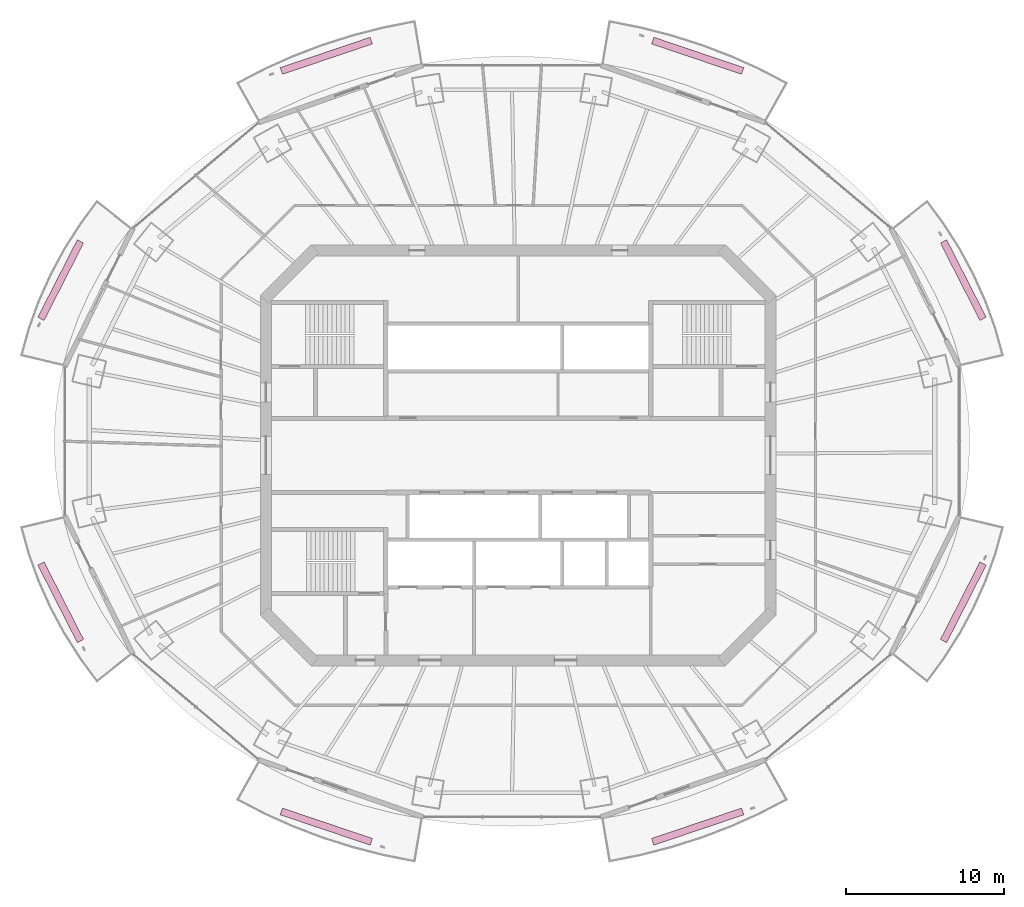
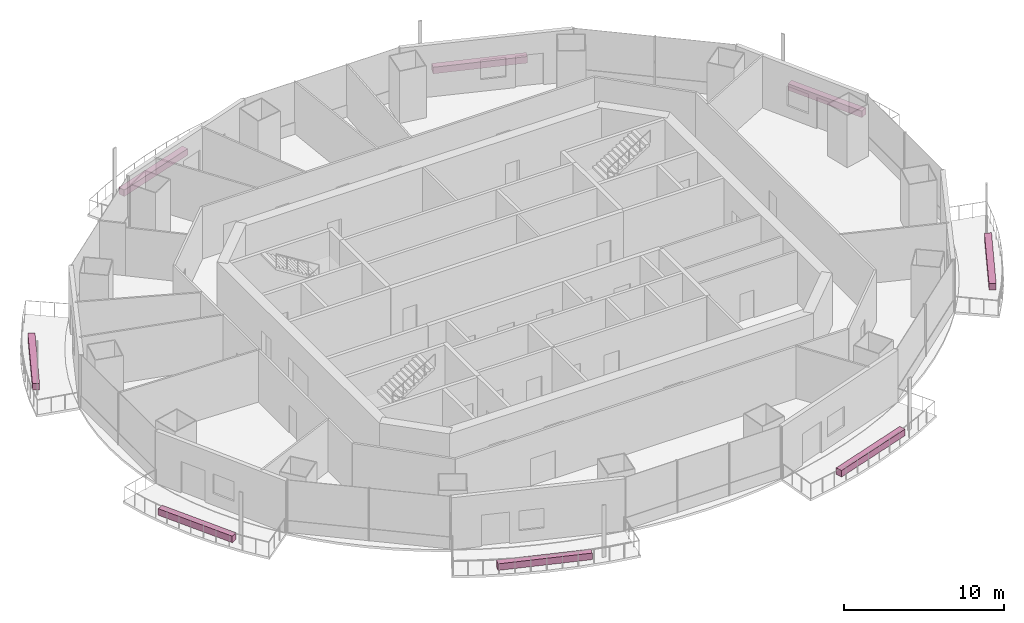
# One storey, part 16 of 16: 8 furnishings.
"""IFC4 building model written with IfcOpenShell, lengths in metres."""

import ifcopenshell
import ifcopenshell.guid

model = None  # the IFC model being written
_history = None  # IfcOwnerHistory: only IFC2X3 demands one
_inside = {}  # id of a spatial element -> (the spatial element, [elements in it])
_under = {}  # id of a project, library or spatial element -> (it, [spatial elements below it])
_declared = {}  # id of a project -> (the project, [libraries it declares])
_typed = {}  # id of a type object -> (the type object, [elements of that type])
_made_of = {}  # id of a material, layer set ... -> (it, [elements and type objects made of it])


def new_model(schema):
    """Start an empty IFC model of exactly this schema.

    Asked for "IFC4X3", IfcOpenShell would pick the latest addendum, in which some entities
    have other attributes; the version numbers below select the first issue.
    IFC2X3 requires an IfcOwnerHistory on every rooted entity: one is made here for all.
    """
    global model, _history
    if schema == "IFC4X3":
        model = ifcopenshell.file(schema_version=(4, 3, 0, 0))
    else:
        model = ifcopenshell.file(schema=schema)
    _inside.clear()
    _under.clear()
    _declared.clear()
    _typed.clear()
    _made_of.clear()
    _history = None
    if model.schema == "IFC2X3":
        org = make("IfcOrganization", Name="unknown")
        user = make(
            "IfcPersonAndOrganization",
            ThePerson=make("IfcPerson", FamilyName="unknown"),
            TheOrganization=org,
        )
        app = make(
            "IfcApplication",
            ApplicationDeveloper=org,
            Version="unknown",
            ApplicationFullName="unknown",
            ApplicationIdentifier="unknown",
        )
        _history = make(
            "IfcOwnerHistory",
            OwningUser=user,
            OwningApplication=app,
            ChangeAction="ADDED",
            CreationDate=0,
        )
    return model


def make(cls, **values):
    """One entity of the class cls with the attributes given. An attribute that is None is left unset."""
    return model.create_entity(
        cls, **{name: value for name, value in values.items() if value is not None}
    )


def rooted(cls, **values):
    """An entity with a GlobalId (a new one), such as an element, a storey or a relation."""
    return make(cls, GlobalId=ifcopenshell.guid.new(), OwnerHistory=_history, **values)


def si_unit(unit_type, name, prefix=None):
    """IfcSIUnit, for example si_unit("LENGTHUNIT", "METRE", prefix="MILLI")."""
    return make("IfcSIUnit", UnitType=unit_type, Prefix=prefix, Name=name)


def assignment(units):
    """IfcUnitAssignment: the units of a project."""
    return None if units is None else make("IfcUnitAssignment", Units=units)


def point(xyz):
    """IfcCartesianPoint."""
    return None if xyz is None else make("IfcCartesianPoint", Coordinates=xyz)


def direction(xyz):
    """IfcDirection."""
    return None if xyz is None else make("IfcDirection", DirectionRatios=xyz)


def frame(location, z_axis=None, x_axis=None):
    """IfcAxis2Placement3D, a coordinate frame: its origin and axes. An axis left out is left unset."""
    return make(
        "IfcAxis2Placement3D",
        Location=point(location),
        Axis=direction(z_axis),
        RefDirection=direction(x_axis),
    )


def frame_2d(location, x_axis=None):
    """IfcAxis2Placement2D, a coordinate frame in the plane: its origin and x axis."""
    return make(
        "IfcAxis2Placement2D", Location=point(location), RefDirection=direction(x_axis)
    )


def origin():
    """The frame at (0, 0, 0) with its axes left unset."""
    return frame((0.0, 0.0, 0.0))


def origin_2d():
    """The frame at (0, 0) in the plane with its x axis left unset."""
    return frame_2d((0.0, 0.0))


def place(relative_to, where):
    """IfcLocalPlacement: puts the frame where relative to a parent placement (None: the world)."""
    return make(
        "IfcLocalPlacement", PlacementRelTo=relative_to, RelativePlacement=where
    )


def context(
    kind, dimensions, precision=None, world=None, true_north=None, identifier=None
):
    """IfcGeometricRepresentationContext, for example the 3D "Model" context."""
    return make(
        "IfcGeometricRepresentationContext",
        ContextIdentifier=identifier,
        ContextType=kind,
        CoordinateSpaceDimension=dimensions,
        Precision=precision,
        WorldCoordinateSystem=world,
        TrueNorth=true_north,
    )


def subcontext(parent, identifier, kind, view, scale=None):
    """IfcGeometricRepresentationSubContext, for example "Body" below "Model"."""
    return make(
        "IfcGeometricRepresentationSubContext",
        ContextIdentifier=identifier,
        ContextType=kind,
        ParentContext=parent,
        TargetScale=scale,
        TargetView=view,
    )


def project(units=None, contexts=None):
    """IfcProject with its units and contexts."""
    return rooted(
        "IfcProject",
        Name="project",
        RepresentationContexts=contexts,
        UnitsInContext=assignment(units),
    )


def spatial(cls, under=None, at=None, **own):
    """A site, building, storey or space (cls), placed at a placement, below another one or the project."""
    s = rooted(cls, ObjectPlacement=at, **own)
    if under is not None:
        _under.setdefault(under.id(), (under, []))[1].append(s)
    return s


def profile(cls, at=None, kind="AREA", **sizes):
    """A parametric profile (cls). Its sizes go by their IFC names, for example OverallWidth=200.0."""
    return make(cls, ProfileType=kind, Position=at, **sizes)


def rectangle(**sizes):
    """IfcRectangleProfileDef."""
    return profile("IfcRectangleProfileDef", **sizes)


def extrude(swept, where, along, depth):
    """IfcExtrudedAreaSolid: the profile swept, set in the frame where, extruded along a direction by depth."""
    return make(
        "IfcExtrudedAreaSolid",
        SweptArea=swept,
        Position=where,
        ExtrudedDirection=direction(along),
        Depth=depth,
    )


def shape(context_of_items, identifier, shape_type, items):
    """IfcShapeRepresentation: the items that make up one representation, for example the "Body"."""
    return make(
        "IfcShapeRepresentation",
        ContextOfItems=context_of_items,
        RepresentationIdentifier=identifier,
        RepresentationType=shape_type,
        Items=items,
    )


def material(Name=None, Category=None):
    """IfcMaterial."""
    return make("IfcMaterial", Name=Name, Category=Category)


def made_of(thing, what):
    """Note that an element or type object is made of a material, layer set ...; save() writes the relation."""
    if what is not None:
        _made_of.setdefault(what.id(), (what, []))[1].append(thing)
    return thing


def type_object(cls, material=None, **own):
    """A type object (cls), such as IfcWallType, which elements share."""
    return made_of(rooted(cls, **own), material)


def element(
    cls,
    number,
    at=None,
    inside=None,
    cuts=None,
    type_object=None,
    material=None,
    context=None,
    identifier="Body",
    shape_type=None,
    held_by="IfcProductDefinitionShape",
    body=None,
    shapes=None,
    **own,
):
    """One element of the class cls, such as IfcWall. Its Tag is "e" and its number.

    at: its placement. inside: the storey or other place that contains it. cuts: it is an
    opening in that element (IfcRelVoidsElement). A single representation is given by context,
    identifier, shape_type and body (its items); several are given by shapes. held_by: the class
    of the entity that holds the representations. save() writes the other relations.
    """
    e = rooted(cls, Tag="e%d" % number, ObjectPlacement=at, **own)
    if body is not None:
        shapes = [shape(context, identifier, shape_type, body)]
    if shapes is not None:
        e.Representation = make(held_by, Representations=shapes)
    if inside is not None:
        _inside.setdefault(inside.id(), (inside, []))[1].append(e)
    if cuts is not None:
        rooted(
            "IfcRelVoidsElement", RelatingBuildingElement=cuts, RelatedOpeningElement=e
        )
    if type_object is not None:
        _typed.setdefault(type_object.id(), (type_object, []))[1].append(e)
    return made_of(e, material)


def aggregate(whole, parts):
    """IfcRelAggregates: a whole, such as a stair, and the parts it consists of."""
    return rooted("IfcRelAggregates", RelatingObject=whole, RelatedObjects=parts)


def save(model, path):
    """Write the relations noted so far, then the file.

    IfcRelAggregates (storeys below a building ...), IfcRelContainedInSpatialStructure (elements
    in a storey), IfcRelDefinesByType, IfcRelAssociatesMaterial and IfcRelDeclares: one each for
    every whole, place, type object, material and project.
    """
    for whole, parts in _under.values():
        aggregate(whole, parts)
    for where, things in _inside.values():
        rooted(
            "IfcRelContainedInSpatialStructure",
            RelatedElements=things,
            RelatingStructure=where,
        )
    for kind, things in _typed.values():
        rooted("IfcRelDefinesByType", RelatedObjects=things, RelatingType=kind)
    for what, things in _made_of.values():
        rooted("IfcRelAssociatesMaterial", RelatedObjects=things, RelatingMaterial=what)
    for by, libraries in _declared.values():
        rooted("IfcRelDeclares", RelatingContext=by, RelatedDefinitions=libraries)
    model.write(path)


model = new_model("IFC4")

# Units and contexts
model_context = context("Model", 3, precision=1e-05, world=origin(), true_north=direction((0.0, 1.0)))
body_context = subcontext(model_context, "Body", "Model", "MODEL_VIEW")
ifc_project = project(units=[si_unit("LENGTHUNIT", "METRE"), si_unit("AREAUNIT", "SQUARE_METRE"), si_unit("VOLUMEUNIT", "CUBIC_METRE"), si_unit("PLANEANGLEUNIT", "RADIAN"), si_unit("MASSUNIT", "GRAM", prefix="KILO")], contexts=[model_context])

# Site, building, storey
site_placement = place(None, origin())
site = spatial("IfcSite", under=ifc_project, at=site_placement, CompositionType="ELEMENT")
building_placement = place(site_placement, origin())
building = spatial("IfcBuilding", under=site, at=building_placement, Name="Marenthal Gate Tower", CompositionType="ELEMENT")
storey_placement = place(building_placement, frame((0.0, 0.0, 284.5)))
storey = spatial("IfcBuildingStorey", under=building, at=storey_placement, Name="L63", CompositionType="ELEMENT", Elevation=284.5)

# Furnishings
ifc_material = material(Name="Planting soil and foliage", Category="planting")
furnishing_element_type = type_object("IfcFurnishingElementType", Name="Balcony PLANTER trough", material=ifc_material)
furnishing_1_placement = place(storey_placement, frame((28.222412109375, 11.11767578125, -0.0400390625), z_axis=(0.0, 0.0, 1.0), x_axis=(-0.454273484461, 0.890862279657, 0.0)))
element("IfcFurnishingElement", 1, at=furnishing_1_placement, inside=storey, type_object=furnishing_element_type, Name="Balcony PLANTER L63 bay 1", ObjectType="PLANTER", context=body_context, shape_type="SweptSolid", body=[
    extrude(rectangle(XDim=5.5166015625, YDim=0.449951171875, at=origin_2d()), origin(), (0.0, 0.0, 1.0), 0.5),
])
for number, where, z_axis, x_axis, name in (
    (2, (11.3759765625, 25.345458984375, -0.0400390625), (0.0, 0.0, 1.0), (-0.947437257295, 0.319941625129, 0.0), "Balcony PLANTER L63 bay 3"),
    (3, (-12.176025390625, 25.345458984375, -0.0400390625), (0.0, 0.0, 1.0), (-0.947437257295, -0.319941625129, 0.0), "Balcony PLANTER L63 bay 5"),
):
    element("IfcFurnishingElement", number, at=place(storey_placement, frame(where, z_axis=z_axis, x_axis=x_axis)), inside=storey, type_object=furnishing_element_type, Name=name, ObjectType="PLANTER", context=body_context, shape_type="SweptSolid", body=[
        extrude(rectangle(XDim=6.024658203125, YDim=0.449951171875, at=origin_2d()), origin(), (0.0, 0.0, 1.0), 0.5),
    ])
for number, where, z_axis, x_axis, name in (
    (4, (-29.0224609375, 11.11767578125, -0.0400390625), (0.0, 0.0, 1.0), (-0.454273484461, -0.890862279657, 0.0), "Balcony PLANTER L63 bay 7"),
    (5, (-29.0224609375, -9.317626953125, -0.0400390625), (0.0, 0.0, 1.0), (0.454273484461, -0.890862279657, 0.0), "Balcony PLANTER L63 bay 9"),
):
    element("IfcFurnishingElement", number, at=place(storey_placement, frame(where, z_axis=z_axis, x_axis=x_axis)), inside=storey, type_object=furnishing_element_type, Name=name, ObjectType="PLANTER", context=body_context, shape_type="SweptSolid", body=[
        extrude(rectangle(XDim=5.5166015625, YDim=0.449951171875, at=origin_2d()), origin(), (0.0, 0.0, 1.0), 0.5),
    ])
for number, where, z_axis, x_axis, name in (
    (6, (-12.176025390625, -23.54541015625, -0.0400390625), (0.0, 0.0, 1.0), (0.947437257295, -0.319941625129, 0.0), "Balcony PLANTER L63 bay 11"),
    (7, (11.3759765625, -23.54541015625, -0.0400390625), (0.0, 0.0, 1.0), (0.947437257295, 0.319941625129, 0.0), "Balcony PLANTER L63 bay 13"),
):
    element("IfcFurnishingElement", number, at=place(storey_placement, frame(where, z_axis=z_axis, x_axis=x_axis)), inside=storey, type_object=furnishing_element_type, Name=name, ObjectType="PLANTER", context=body_context, shape_type="SweptSolid", body=[
        extrude(rectangle(XDim=6.024658203125, YDim=0.449951171875, at=origin_2d()), origin(), (0.0, 0.0, 1.0), 0.5),
    ])
furnishing_2_placement = place(storey_placement, frame((28.222412109375, -9.317626953125, -0.0400390625), z_axis=(0.0, 0.0, 1.0), x_axis=(0.454273484461, 0.890862279657, 0.0)))
element("IfcFurnishingElement", 8, at=furnishing_2_placement, inside=storey, type_object=furnishing_element_type, Name="Balcony PLANTER L63 bay 15", ObjectType="PLANTER", context=body_context, shape_type="SweptSolid", body=[
    extrude(rectangle(XDim=5.5166015625, YDim=0.449951171875, at=origin_2d()), origin(), (0.0, 0.0, 1.0), 0.5),
])

save(model, "model.ifc")
